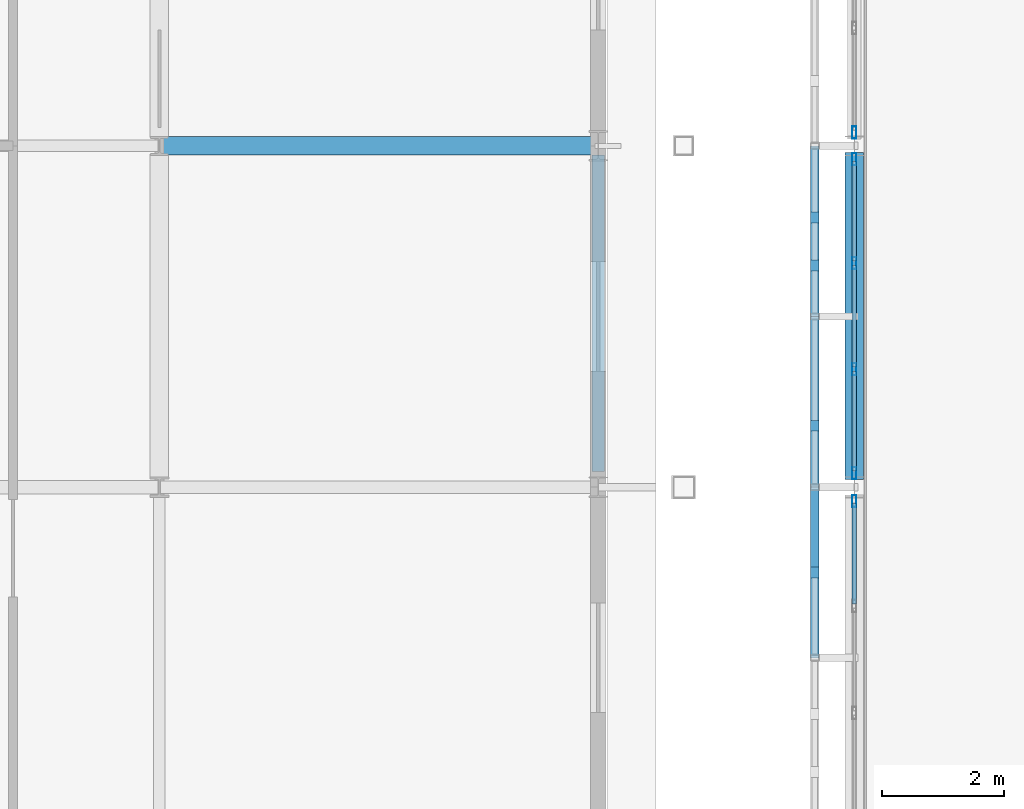
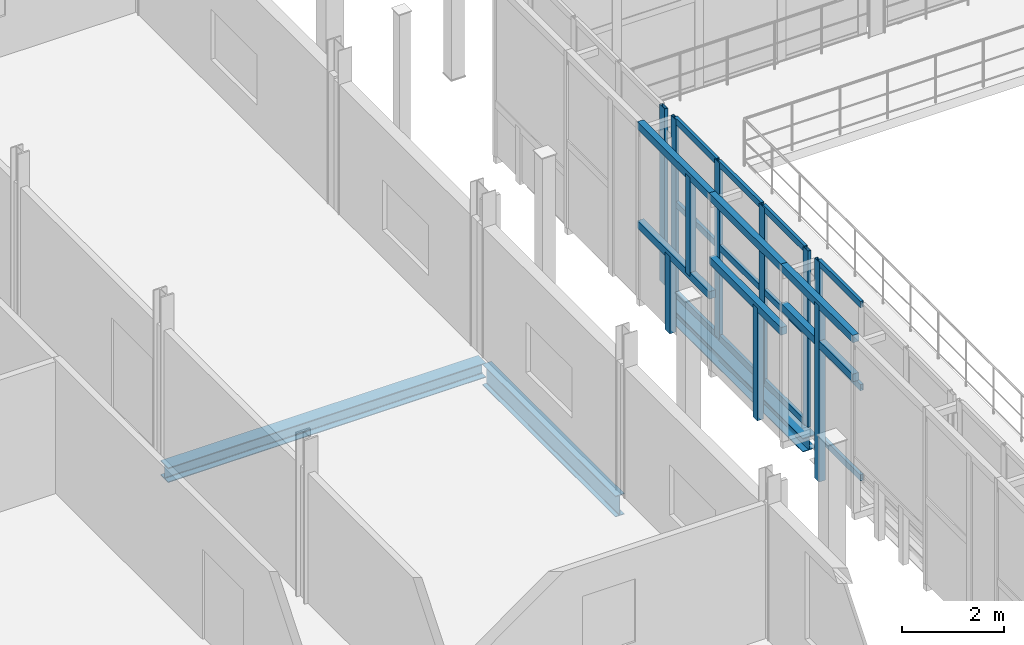
# One storey, part 29 of 78: 28 members, 3 beams, 3 elements without a shape of their own.
"""IFC4 building model written with IfcOpenShell, lengths in metres."""

from ifc_helpers import new_model, si_unit, direction, frame, origin, origin_2d, place, context, subcontext, project, spatial, rectangle, hollow_rectangle, i_section, extrude, material, layer, layer_set, material_profile, profile_set, type_object, element, aggregate, save


model = new_model("IFC4")

# Units and contexts
model_context = context("Model", 3, precision=1e-05, world=origin(), true_north=direction((0.0, 1.0)))
body_context = subcontext(model_context, "Body", "Model", "MODEL_VIEW")
ifc_project = project(units=[si_unit("LENGTHUNIT", "METRE"), si_unit("AREAUNIT", "SQUARE_METRE"), si_unit("VOLUMEUNIT", "CUBIC_METRE"), si_unit("PLANEANGLEUNIT", "RADIAN"), si_unit("MASSUNIT", "GRAM", prefix="KILO")], contexts=[model_context])

# Site, building, storey
site_placement = place(None, origin())
site = spatial("IfcSite", under=ifc_project, at=site_placement, CompositionType="ELEMENT")
building_placement = place(site_placement, origin())
building = spatial("IfcBuilding", under=site, at=building_placement, Name="Vinh Khe Railworks Police Headquarters", CompositionType="ELEMENT")
storey_placement = place(building_placement, frame((0.0, 0.0, 13.199951171875)))
storey = spatial("IfcBuildingStorey", under=building, at=storey_placement, Name="L03", CompositionType="ELEMENT", Elevation=13.199951171875)

# Members
ifc_material_1 = material(Name="Salvaged ironwood timber", Category="wood")
ifc_material_profile_1 = material_profile(ifc_material_1, rectangle(XDim=0.139892578125, YDim=0.179931640625, at=origin_2d()), Name="TIMBER 140x180")
ifc_profile_set_1 = profile_set([ifc_material_profile_1], Name="Salvaged ironwood timber")
member_type_1 = type_object("IfcMemberType", Name="MEM-QUILT-STILE", PredefinedType="CHORD", material=ifc_profile_set_1)
for number, where, z_axis, x_axis, name in (
    (1, (25.75, 44.800048828125, 4.1201171875), (0.0, 1.0, 0.0), (-1.0, 0.0, 0.0), "Salvaged Timber Quilt Transom W-L03-07-TOP"),
    (2, (25.75, 44.800048828125, 3.192138671875), (0.0, 1.0, 0.0), (-1.0, 0.0, 0.0), "Salvaged Timber Quilt Transom W-L03-07-M1"),
):
    element("IfcMember", number, at=place(storey_placement, frame(where, z_axis=z_axis, x_axis=x_axis)), inside=storey, type_object=member_type_1, Name=name, PredefinedType="CHORD", context=body_context, shape_type="SweptSolid", body=[
        extrude(rectangle(XDim=0.139892578125, YDim=0.179931640625, at=origin_2d()), origin(), (0.0, 0.0, 1.0), 2.800048828125),
    ])
member_1_placement = place(storey_placement, frame((25.75, 46.199951171875, -0.079833984375), z_axis=(0.0, 0.0, 1.0), x_axis=(1.0, 0.0, 0.0)))
element("IfcMember", 3, at=member_1_placement, inside=storey, type_object=member_type_1, Name="Salvaged Timber Quilt Stile W-L03-07-V1", PredefinedType="POST", context=body_context, shape_type="SweptSolid", body=[
    extrude(rectangle(XDim=0.139892578125, YDim=0.179931640625, at=origin_2d()), origin(), (0.0, 0.0, 1.0), 4.199951171875),
])
for number, where, z_axis, x_axis, name in (
    (4, (25.75, 47.60009765625, 4.1201171875), (0.0, 1.0, 0.0), (-1.0, 0.0, 0.0), "Salvaged Timber Quilt Transom W-L03-08-TOP"),
    (5, (25.75, 47.60009765625, 2.60400390625), (0.0, 1.0, 0.0), (-1.0, 0.0, 0.0), "Salvaged Timber Quilt Transom W-L03-08-M1"),
):
    element("IfcMember", number, at=place(storey_placement, frame(where, z_axis=z_axis, x_axis=x_axis)), inside=storey, type_object=member_type_1, Name=name, PredefinedType="CHORD", context=body_context, shape_type="SweptSolid", body=[
        extrude(rectangle(XDim=0.139892578125, YDim=0.179931640625, at=origin_2d()), origin(), (0.0, 0.0, 1.0), 2.7998046875),
    ])
member_2_placement = place(storey_placement, frame((25.75, 48.60791015625, -0.079833984375), z_axis=(0.0, 0.0, 1.0), x_axis=(1.0, 0.0, 0.0)))
element("IfcMember", 6, at=member_2_placement, inside=storey, type_object=member_type_1, Name="Salvaged Timber Quilt Stile W-L03-08-V1", PredefinedType="POST", context=body_context, shape_type="SweptSolid", body=[
    extrude(rectangle(XDim=0.139892578125, YDim=0.179931640625, at=origin_2d()), origin(), (0.0, 0.0, 1.0), 2.683837890625),
])
for number, where, z_axis, x_axis, name in (
    (7, (25.75, 50.39990234375, 4.1201171875), (0.0, 1.0, 0.0), (-1.0, 0.0, 0.0), "Salvaged Timber Quilt Transom W-L03-09-TOP"),
    (8, (25.75, 50.39990234375, 1.76416015625), (0.0, 1.0, 0.0), (-1.0, 0.0, 0.0), "Salvaged Timber Quilt Transom W-L03-09-M1"),
):
    element("IfcMember", number, at=place(storey_placement, frame(where, z_axis=z_axis, x_axis=x_axis)), inside=storey, type_object=member_type_1, Name=name, PredefinedType="CHORD", context=body_context, shape_type="SweptSolid", body=[
        extrude(rectangle(XDim=0.139892578125, YDim=0.179931640625, at=origin_2d()), origin(), (0.0, 0.0, 1.0), 2.800048828125),
    ])
member_3_placement = place(storey_placement, frame((25.75, 52.02392578125, -0.079833984375), z_axis=(0.0, 0.0, 1.0), x_axis=(1.0, 0.0, 0.0)))
element("IfcMember", 9, at=member_3_placement, inside=storey, type_object=member_type_1, Name="Salvaged Timber Quilt Stile W-L03-09-V1", PredefinedType="POST", context=body_context, shape_type="SweptSolid", body=[
    extrude(rectangle(XDim=0.139892578125, YDim=0.179931640625, at=origin_2d()), origin(), (0.0, 0.0, 1.0), 1.843994140625),
])
member_4_placement = place(storey_placement, frame((25.75, 51.239990234375, 1.76416015625), z_axis=(0.0, 0.0, 1.0), x_axis=(1.0, 0.0, 0.0)))
element("IfcMember", 10, at=member_4_placement, inside=storey, type_object=member_type_1, Name="Salvaged Timber Quilt Stile W-L03-09-V2", PredefinedType="POST", context=body_context, shape_type="SweptSolid", body=[
    extrude(rectangle(XDim=0.139892578125, YDim=0.179931640625, at=origin_2d()), origin(), (0.0, 0.0, 1.0), 2.35595703125),
])

# Curtain wall, member
ifc_material_2 = material(Name="Anodised aluminium and low-iron glass", Category="aluminium")
ifc_layer = layer(ifc_material_2, 0.179931640625)
ifc_layer_set = layer_set([ifc_layer], Name="Anodised aluminium and low-iron glass")
curtain_wall_type = type_object("IfcCurtainWallType", Name="CW-CUBE-UNIT", PredefinedType="USERDEFINED", material=ifc_layer_set)
curtain_wall_1_placement = place(storey_placement, origin())
curtain_wall_1 = element("IfcCurtainWall", 11, at=curtain_wall_1_placement, inside=storey, type_object=curtain_wall_type, Name="Entrance Hall Curtain Wall L03 W-4", ObjectType="UNITISED GLAZING", PredefinedType="USERDEFINED")
ifc_material_3 = material(Name="Anodised aluminium 6063-T6", Category="aluminium")
ifc_material_profile_2 = material_profile(ifc_material_3, hollow_rectangle(XDim=0.070068359375, YDim=0.199951171875, WallThickness=0.0048828125, at=origin_2d()), Name="CW-M 70x200x5")
ifc_profile_set_2 = profile_set([ifc_material_profile_2], Name="Anodised aluminium 6063-T6")
member_type_2 = type_object("IfcMemberType", Name="MULL-CWM-03", PredefinedType="MULLION", material=ifc_profile_set_2)
member_5_placement = place(storey_placement, frame((26.39990234375, 47.3701171875, 0.0), z_axis=(0.0, 0.0, 1.0), x_axis=(-1.0, 0.0, 0.0)))
member_5 = element("IfcMember", 12, at=member_5_placement, type_object=member_type_2, Name="CW-01 mullion 4", PredefinedType="MULLION", context=body_context, shape_type="SweptSolid", body=[
    extrude(hollow_rectangle(XDim=0.070068359375, YDim=0.199951171875, WallThickness=0.0048828125, at=origin_2d()), origin(), (0.0, 0.0, 1.0), 4.199951171875),
])

# Curtain wall, members
curtain_wall_2_placement = place(storey_placement, origin())
curtain_wall_2 = element("IfcCurtainWall", 13, at=curtain_wall_2_placement, inside=storey, type_object=curtain_wall_type, Name="Entrance Hall Curtain Wall L03 W-5", ObjectType="UNITISED GLAZING", PredefinedType="USERDEFINED")
member_6_placement = place(storey_placement, frame((26.39990234375, 47.830078125, 0.0), z_axis=(0.0, 0.0, 1.0), x_axis=(-1.0, 0.0, 0.0)))
member_6 = element("IfcMember", 14, at=member_6_placement, type_object=member_type_2, Name="CW-01 mullion 1", PredefinedType="MULLION", context=body_context, shape_type="SweptSolid", body=[
    extrude(hollow_rectangle(XDim=0.070068359375, YDim=0.199951171875, WallThickness=0.0048828125, at=origin_2d()), origin(), (0.0, 0.0, 1.0), 4.199951171875),
])
member_7_placement = place(storey_placement, frame((26.39990234375, 49.534912109375, 0.0), z_axis=(0.0, 0.0, 1.0), x_axis=(-1.0, 0.0, 0.0)))
member_7 = element("IfcMember", 15, at=member_7_placement, type_object=member_type_2, Name="CW-01 mullion 2", PredefinedType="MULLION", context=body_context, shape_type="SweptSolid", body=[
    extrude(hollow_rectangle(XDim=0.070068359375, YDim=0.199951171875, WallThickness=0.0048828125, at=origin_2d()), origin(), (0.0, 0.0, 1.0), 4.199951171875),
])
member_8_placement = place(storey_placement, frame((26.39990234375, 51.27490234375, 0.0), z_axis=(0.0, 0.0, 1.0), x_axis=(-1.0, 0.0, 0.0)))
member_8 = element("IfcMember", 16, at=member_8_placement, type_object=member_type_2, Name="CW-01 mullion 3", PredefinedType="MULLION", context=body_context, shape_type="SweptSolid", body=[
    extrude(hollow_rectangle(XDim=0.070068359375, YDim=0.199951171875, WallThickness=0.0048828125, at=origin_2d()), origin(), (0.0, 0.0, 1.0), 4.199951171875),
])
member_9_placement = place(storey_placement, frame((26.39990234375, 52.97998046875, 0.0), z_axis=(0.0, 0.0, 1.0), x_axis=(-1.0, 0.0, 0.0)))
member_9 = element("IfcMember", 17, at=member_9_placement, type_object=member_type_2, Name="CW-01 mullion 4", PredefinedType="MULLION", context=body_context, shape_type="SweptSolid", body=[
    extrude(hollow_rectangle(XDim=0.070068359375, YDim=0.199951171875, WallThickness=0.0048828125, at=origin_2d()), origin(), (0.0, 0.0, 1.0), 4.199951171875),
])

# Curtain wall, member
curtain_wall_3_placement = place(storey_placement, origin())
curtain_wall_3 = element("IfcCurtainWall", 18, at=curtain_wall_3_placement, inside=storey, type_object=curtain_wall_type, Name="Entrance Hall Curtain Wall L03 W-6", ObjectType="UNITISED GLAZING", PredefinedType="USERDEFINED")
member_10_placement = place(storey_placement, frame((26.39990234375, 53.419921875, 0.0), z_axis=(0.0, 0.0, 1.0), x_axis=(-1.0, 0.0, 0.0)))
member_10 = element("IfcMember", 19, at=member_10_placement, type_object=member_type_2, Name="CW-01 mullion 1", PredefinedType="MULLION", context=body_context, shape_type="SweptSolid", body=[
    extrude(hollow_rectangle(XDim=0.070068359375, YDim=0.199951171875, WallThickness=0.0048828125, at=origin_2d()), origin(), (0.0, 0.0, 1.0), 4.199951171875),
])
aggregate(curtain_wall_3, [member_10])

# Beams
ifc_material_4 = material(Name="Steel S355JR", Category="steel")
ifc_material_profile_3 = material_profile(ifc_material_4, i_section(OverallWidth=0.300048828125, OverallDepth=0.330078125, WebThickness=0.009521484375, FlangeThickness=0.0166015625, FilletRadius=0.027099609375, at=origin_2d()), Name="HEA 340")
ifc_profile_set_3 = profile_set([ifc_material_profile_3], Name="Steel S355JR")
beam_type_1 = type_object("IfcBeamType", Name="Steel Girder HEA 340", PredefinedType="BEAM", material=ifc_profile_set_3)
beam_1_placement = place(storey_placement, frame((26.39990234375, 47.72998046875, -0.385009765625), z_axis=(0.0, 1.0, 0.0), x_axis=(-1.0, 0.0, 0.0)))
element("IfcBeam", 20, at=beam_1_placement, inside=storey, type_object=beam_type_1, Name="Girder BM-L03-NS-SB-16-1214", PredefinedType="BEAM", context=body_context, shape_type="SweptSolid", body=[
    extrude(i_section(OverallWidth=0.300048828125, OverallDepth=0.330078125, WebThickness=0.009521484375, FlangeThickness=0.0166015625, FilletRadius=0.027099609375, at=origin_2d()), origin(), (0.0, 0.0, 1.0), 5.360107421875),
])
ifc_material_profile_4 = material_profile(ifc_material_4, i_section(OverallWidth=0.300048828125, OverallDepth=0.35009765625, WebThickness=0.010009765625, FlangeThickness=0.017578125, FilletRadius=0.027099609375, at=origin_2d()), Name="HEA 360")
ifc_profile_set_4 = profile_set([ifc_material_profile_4], Name="Steel S355JR")
beam_type_2 = type_object("IfcBeamType", Name="Steel Girder HEA 360", PredefinedType="BEAM", material=ifc_profile_set_4)
beam_2_placement = place(storey_placement, frame((15.02001953125, 53.199951171875, -0.39501953125), z_axis=(1.0, 0.0, 0.0), x_axis=(0.0, 1.0, 0.0)))
element("IfcBeam", 21, at=beam_2_placement, inside=storey, type_object=beam_type_2, Name="Girder BM-L03-EW-SB-15-1057", PredefinedType="BEAM", context=body_context, shape_type="SweptSolid", body=[
    extrude(i_section(OverallWidth=0.300048828125, OverallDepth=0.35009765625, WebThickness=0.010009765625, FlangeThickness=0.017578125, FilletRadius=0.027099609375, at=origin_2d()), origin(), (0.0, 0.0, 1.0), 7.159912109375),
])
ifc_material_profile_5 = material_profile(ifc_material_4, i_section(OverallWidth=0.199951171875, OverallDepth=0.5, WebThickness=0.01025390625, FlangeThickness=0.01611328125, FilletRadius=0.02099609375, at=origin_2d()), Name="IPE 500")
ifc_profile_set_5 = profile_set([ifc_material_profile_5], Name="Steel S355JR")
beam_type_3 = type_object("IfcBeamType", Name="Steel Girder IPE 500", PredefinedType="BEAM", material=ifc_profile_set_5)
beam_3_placement = place(storey_placement, frame((22.199951171875, 47.85498046875, -0.469970703125), z_axis=(0.0, 1.0, 0.0), x_axis=(-1.0, 0.0, 0.0)))
element("IfcBeam", 22, at=beam_3_placement, inside=storey, type_object=beam_type_3, Name="Girder BM-L03-NS-SB-19-1199", PredefinedType="BEAM", context=body_context, shape_type="SweptSolid", body=[
    extrude(i_section(OverallWidth=0.199951171875, OverallDepth=0.5, WebThickness=0.01025390625, FlangeThickness=0.01611328125, FilletRadius=0.02099609375, at=origin_2d()), origin(), (0.0, 0.0, 1.0), 5.195068359375),
])

# Member
ifc_material_profile_6 = material_profile(ifc_material_3, hollow_rectangle(XDim=0.070068359375, YDim=0.14990234375, WallThickness=0.0048828125, at=origin_2d()), Name="CW-T 70x150x5")
ifc_profile_set_6 = profile_set([ifc_material_profile_6], Name="Anodised aluminium 6063-T6")
member_type_3 = type_object("IfcMemberType", Name="TRAN-CWT-03", PredefinedType="USERDEFINED", material=ifc_profile_set_6)
member_11_placement = place(storey_placement, frame((26.39990234375, 45.68505859375, 0.03515625), z_axis=(0.0, 1.0, 0.0), x_axis=(-1.0, 0.0, 0.0)))
member_11 = element("IfcMember", 23, at=member_11_placement, type_object=member_type_3, Name="CW-01 transom 3.1", ObjectType="TRANSOM", PredefinedType="USERDEFINED", context=body_context, shape_type="SweptSolid", body=[
    extrude(hollow_rectangle(XDim=0.070068359375, YDim=0.14990234375, WallThickness=0.0048828125, at=origin_2d()), origin(), (0.0, 0.0, 1.0), 1.64990234375),
])

member_12_placement = place(storey_placement, frame((26.39990234375, 45.68505859375, 2.18408203125), z_axis=(0.0, 1.0, 0.0), x_axis=(-1.0, 0.0, 0.0)))
member_12 = element("IfcMember", 24, at=member_12_placement, type_object=member_type_3, Name="CW-01 transom 3.2", ObjectType="TRANSOM", PredefinedType="USERDEFINED", context=body_context, shape_type="SweptSolid", body=[
    extrude(hollow_rectangle(XDim=0.070068359375, YDim=0.14990234375, WallThickness=0.0048828125, at=origin_2d()), origin(), (0.0, 0.0, 1.0), 1.64990234375),
])

member_13_placement = place(storey_placement, frame((26.39990234375, 45.68505859375, 4.1650390625), z_axis=(0.0, 1.0, 0.0), x_axis=(-1.0, 0.0, 0.0)))
member_13 = element("IfcMember", 25, at=member_13_placement, type_object=member_type_3, Name="CW-01 transom 3.3", ObjectType="TRANSOM", PredefinedType="USERDEFINED", context=body_context, shape_type="SweptSolid", body=[
    extrude(hollow_rectangle(XDim=0.070068359375, YDim=0.14990234375, WallThickness=0.0048828125, at=origin_2d()), origin(), (0.0, 0.0, 1.0), 1.64990234375),
])

aggregate(curtain_wall_1, [member_5, member_11, member_12, member_13])

member_14_placement = place(storey_placement, frame((26.39990234375, 47.864990234375, 0.03515625), z_axis=(0.0, 1.0, 0.0), x_axis=(-1.0, 0.0, 0.0)))
member_14 = element("IfcMember", 26, at=member_14_placement, type_object=member_type_3, Name="CW-01 transom 1.1", ObjectType="TRANSOM", PredefinedType="USERDEFINED", context=body_context, shape_type="SweptSolid", body=[
    extrude(hollow_rectangle(XDim=0.070068359375, YDim=0.14990234375, WallThickness=0.0048828125, at=origin_2d()), origin(), (0.0, 0.0, 1.0), 1.635009765625),
])

member_15_placement = place(storey_placement, frame((26.39990234375, 47.864990234375, 2.18408203125), z_axis=(0.0, 1.0, 0.0), x_axis=(-1.0, 0.0, 0.0)))
member_15 = element("IfcMember", 27, at=member_15_placement, type_object=member_type_3, Name="CW-01 transom 1.2", ObjectType="TRANSOM", PredefinedType="USERDEFINED", context=body_context, shape_type="SweptSolid", body=[
    extrude(hollow_rectangle(XDim=0.070068359375, YDim=0.14990234375, WallThickness=0.0048828125, at=origin_2d()), origin(), (0.0, 0.0, 1.0), 1.635009765625),
])

member_16_placement = place(storey_placement, frame((26.39990234375, 47.864990234375, 4.1650390625), z_axis=(0.0, 1.0, 0.0), x_axis=(-1.0, 0.0, 0.0)))
member_16 = element("IfcMember", 28, at=member_16_placement, type_object=member_type_3, Name="CW-01 transom 1.3", ObjectType="TRANSOM", PredefinedType="USERDEFINED", context=body_context, shape_type="SweptSolid", body=[
    extrude(hollow_rectangle(XDim=0.070068359375, YDim=0.14990234375, WallThickness=0.0048828125, at=origin_2d()), origin(), (0.0, 0.0, 1.0), 1.635009765625),
])

member_17_placement = place(storey_placement, frame((26.39990234375, 49.570068359375, 0.03515625), z_axis=(0.0, 1.0, 0.0), x_axis=(-1.0, 0.0, 0.0)))
member_17 = element("IfcMember", 29, at=member_17_placement, type_object=member_type_3, Name="CW-01 transom 2.1", ObjectType="TRANSOM", PredefinedType="USERDEFINED", context=body_context, shape_type="SweptSolid", body=[
    extrude(hollow_rectangle(XDim=0.070068359375, YDim=0.14990234375, WallThickness=0.0048828125, at=origin_2d()), origin(), (0.0, 0.0, 1.0), 1.669921875),
])

member_18_placement = place(storey_placement, frame((26.39990234375, 49.570068359375, 2.18408203125), z_axis=(0.0, 1.0, 0.0), x_axis=(-1.0, 0.0, 0.0)))
member_18 = element("IfcMember", 30, at=member_18_placement, type_object=member_type_3, Name="CW-01 transom 2.2", ObjectType="TRANSOM", PredefinedType="USERDEFINED", context=body_context, shape_type="SweptSolid", body=[
    extrude(hollow_rectangle(XDim=0.070068359375, YDim=0.14990234375, WallThickness=0.0048828125, at=origin_2d()), origin(), (0.0, 0.0, 1.0), 1.669921875),
])

member_19_placement = place(storey_placement, frame((26.39990234375, 49.570068359375, 4.1650390625), z_axis=(0.0, 1.0, 0.0), x_axis=(-1.0, 0.0, 0.0)))
member_19 = element("IfcMember", 31, at=member_19_placement, type_object=member_type_3, Name="CW-01 transom 2.3", ObjectType="TRANSOM", PredefinedType="USERDEFINED", context=body_context, shape_type="SweptSolid", body=[
    extrude(hollow_rectangle(XDim=0.070068359375, YDim=0.14990234375, WallThickness=0.0048828125, at=origin_2d()), origin(), (0.0, 0.0, 1.0), 1.669921875),
])

member_20_placement = place(storey_placement, frame((26.39990234375, 51.31005859375, 0.03515625), z_axis=(0.0, 1.0, 0.0), x_axis=(-1.0, 0.0, 0.0)))
member_20 = element("IfcMember", 32, at=member_20_placement, type_object=member_type_3, Name="CW-01 transom 3.1", ObjectType="TRANSOM", PredefinedType="USERDEFINED", context=body_context, shape_type="SweptSolid", body=[
    extrude(hollow_rectangle(XDim=0.070068359375, YDim=0.14990234375, WallThickness=0.0048828125, at=origin_2d()), origin(), (0.0, 0.0, 1.0), 1.635009765625),
])

member_21_placement = place(storey_placement, frame((26.39990234375, 51.31005859375, 2.18408203125), z_axis=(0.0, 1.0, 0.0), x_axis=(-1.0, 0.0, 0.0)))
member_21 = element("IfcMember", 33, at=member_21_placement, type_object=member_type_3, Name="CW-01 transom 3.2", ObjectType="TRANSOM", PredefinedType="USERDEFINED", context=body_context, shape_type="SweptSolid", body=[
    extrude(hollow_rectangle(XDim=0.070068359375, YDim=0.14990234375, WallThickness=0.0048828125, at=origin_2d()), origin(), (0.0, 0.0, 1.0), 1.635009765625),
])

member_22_placement = place(storey_placement, frame((26.39990234375, 51.31005859375, 4.1650390625), z_axis=(0.0, 1.0, 0.0), x_axis=(-1.0, 0.0, 0.0)))
member_22 = element("IfcMember", 34, at=member_22_placement, type_object=member_type_3, Name="CW-01 transom 3.3", ObjectType="TRANSOM", PredefinedType="USERDEFINED", context=body_context, shape_type="SweptSolid", body=[
    extrude(hollow_rectangle(XDim=0.070068359375, YDim=0.14990234375, WallThickness=0.0048828125, at=origin_2d()), origin(), (0.0, 0.0, 1.0), 1.635009765625),
])

aggregate(curtain_wall_2, [member_6, member_7, member_8, member_9, member_14, member_15, member_16, member_17, member_18, member_19, member_20, member_21, member_22])

save(model, "model.ifc")
